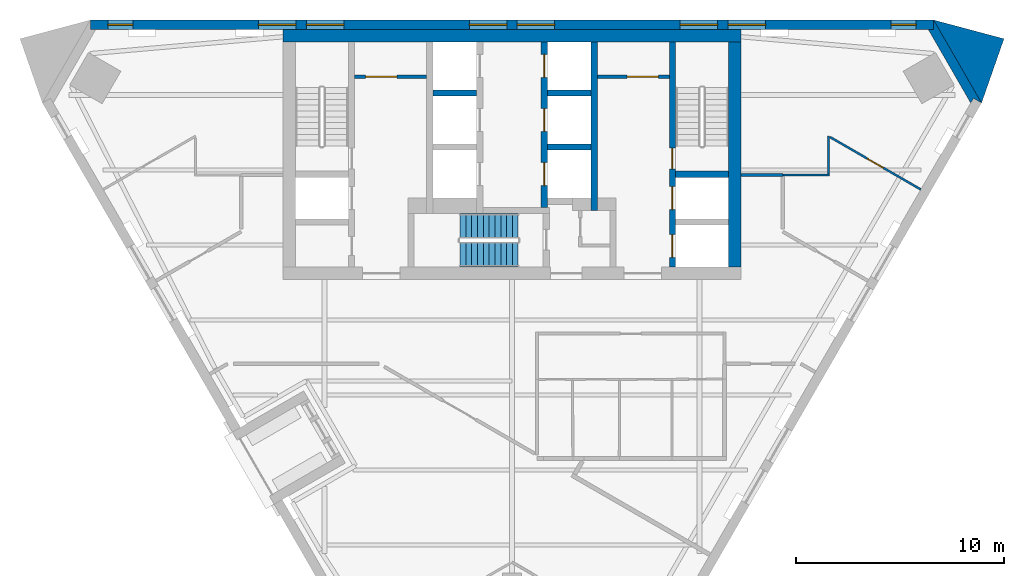
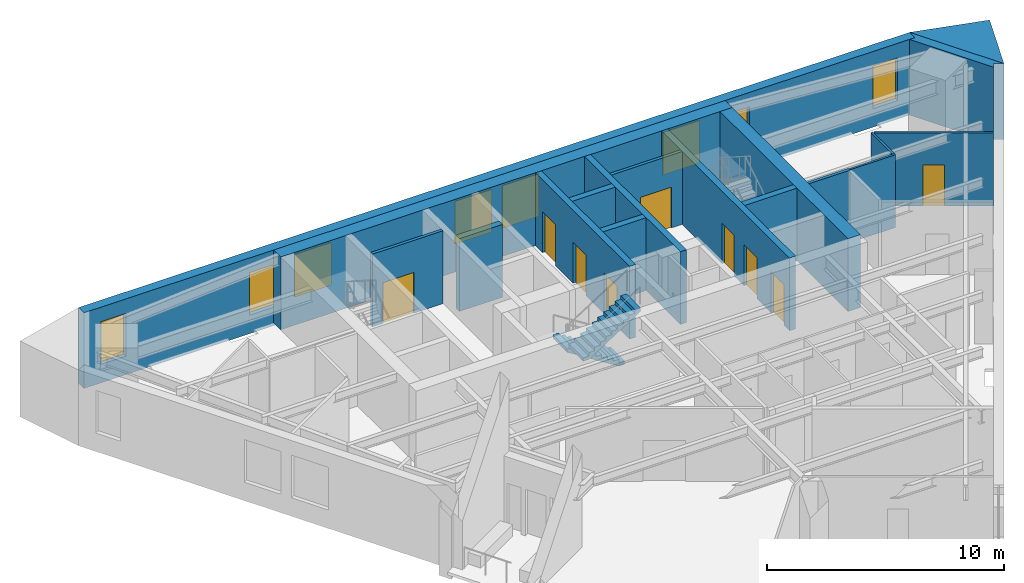
# One storey, part 5 of 7: 18 walls, 9 doors, 8 windows, 2 stair flights, 17 openings, 1 element without a shape of its own.
"""IFC4 building model written with IfcOpenShell, lengths in metres."""

from ifc_helpers import new_model, si_unit, direction, frame, frame_2d, origin, place, context, subcontext, project, spatial, polyline, rectangle, outline, extrude, material, layer, layer_set, type_object, element, fill, aggregate, save


model = new_model("IFC4")

# Units and contexts
model_context = context("Model", 3, precision=1e-05, world=origin(), true_north=direction((0.0, 1.0)))
body_context = subcontext(model_context, "Body", "Model", "MODEL_VIEW")
ifc_project = project(units=[si_unit("LENGTHUNIT", "METRE"), si_unit("AREAUNIT", "SQUARE_METRE"), si_unit("VOLUMEUNIT", "CUBIC_METRE"), si_unit("PLANEANGLEUNIT", "RADIAN"), si_unit("MASSUNIT", "GRAM", prefix="KILO")], contexts=[model_context])

# Site, building, storey
site_placement = place(None, origin())
site = spatial("IfcSite", under=ifc_project, at=site_placement, CompositionType="ELEMENT")
building_placement = place(site_placement, origin())
building = spatial("IfcBuilding", under=site, at=building_placement, Name="Aloe Facet Convention Tower", CompositionType="ELEMENT")
storey_placement = place(building_placement, frame((0.0, 0.0, 148.10009765625)))
storey = spatial("IfcBuildingStorey", under=building, at=storey_placement, Name="L37", CompositionType="ELEMENT", Elevation=148.10009765625)

# Wall, opening, door
ifc_material_1 = material(Name="Concrete blockwork partition", Category="masonry")
ifc_layer_1 = layer(ifc_material_1, 0.14990234375)
ifc_layer_set_1 = layer_set([ifc_layer_1], Name="CR-W-PART150")
wall_type_1 = type_object("IfcWallType", Name="CR-W-PART150", PredefinedType="PARTITIONING", material=ifc_layer_set_1)
wall_1_placement = place(storey_placement, frame((72.449951171875, 132.27490234375, 0.0), z_axis=(0.0, 0.0, 1.0), x_axis=(1.0, 0.0, 0.0)))
wall_1 = element("IfcWall", 1, at=wall_1_placement, inside=storey, type_object=wall_type_1, Name="Core partition L37-007", PredefinedType="PARTITIONING", context=body_context, shape_type="SweptSolid", body=[
    extrude(rectangle(XDim=3.449951171875, YDim=0.14990234375, at=frame_2d((1.72509765625, 0.0))), origin(), (0.0, 0.0, 1.0), 3.75),
])
opening_1_placement = place(wall_1_placement, frame((0.52490234375, 0.0, 0.0)))
opening_1 = element("IfcOpeningElement", 2, at=opening_1_placement, cuts=wall_1, Name="Opening L37-CD14", PredefinedType="OPENING", context=body_context, shape_type="SweptSolid", body=[
    extrude(rectangle(XDim=1.5, YDim=2.10009765625, at=frame_2d((0.75, 1.050048828125))), frame((0.0, 0.0849609375, 0.0), z_axis=(0.0, -1.0, 0.0), x_axis=(1.0, 0.0, 0.0)), (0.0, 0.0, 1.0), 0.169921875),
])
ifc_material_2 = material(Name="Steel fire-resisting door set FD60", Category="steel")
door_type_1 = type_object("IfcDoorType", Name="CR-D-REFUGE-1500-FD60-DD", OperationType="DOUBLE_DOOR_DOUBLE_SWING", PredefinedType="DOOR", material=ifc_material_2)
door_1_placement = place(opening_1_placement, origin())
door_1 = element("IfcDoor", 3, at=door_1_placement, inside=storey, type_object=door_type_1, Name="Core door L37-CD14", OperationType="DOUBLE_DOOR_DOUBLE_SWING", OverallHeight=2.10009765625, OverallWidth=1.5, PredefinedType="DOOR", context=body_context, shape_type="SweptSolid", body=[
    extrude(rectangle(XDim=1.5, YDim=2.10009765625, at=frame_2d((0.75, 1.050048828125))), frame((0.0, 0.02490234375, 0.0), z_axis=(0.0, -1.0, 0.0), x_axis=(1.0, 0.0, 0.0)), (0.0, 0.0, 1.0), 0.050048828125),
])
fill(opening_1, door_1)

wall_2_placement = place(storey_placement, frame((84.10009765625, 132.27490234375, 0.0), z_axis=(0.0, 0.0, 1.0), x_axis=(1.0, 0.0, 0.0)))
wall_2 = element("IfcWall", 4, at=wall_2_placement, inside=storey, type_object=wall_type_1, Name="Core partition L37-025", PredefinedType="PARTITIONING", context=body_context, shape_type="SweptSolid", body=[
    extrude(rectangle(XDim=3.449951171875, YDim=0.14990234375, at=frame_2d((1.72509765625, 0.0))), origin(), (0.0, 0.0, 1.0), 3.75),
])
opening_2_placement = place(wall_2_placement, frame((1.425048828125, 0.0, 0.0)))
opening_2 = element("IfcOpeningElement", 5, at=opening_2_placement, cuts=wall_2, Name="Opening L37-CD13", PredefinedType="OPENING", context=body_context, shape_type="SweptSolid", body=[
    extrude(rectangle(XDim=1.5, YDim=2.10009765625, at=frame_2d((0.75, 1.050048828125))), frame((0.0, 0.0849609375, 0.0), z_axis=(0.0, -1.0, 0.0), x_axis=(1.0, 0.0, 0.0)), (0.0, 0.0, 1.0), 0.169921875),
])
door_2_placement = place(opening_2_placement, origin())
door_2 = element("IfcDoor", 6, at=door_2_placement, inside=storey, type_object=door_type_1, Name="Core door L37-CD13", OperationType="DOUBLE_DOOR_DOUBLE_SWING", OverallHeight=2.10009765625, OverallWidth=1.5, PredefinedType="DOOR", context=body_context, shape_type="SweptSolid", body=[
    extrude(rectangle(XDim=1.5, YDim=2.10009765625, at=frame_2d((0.75, 1.050048828125))), frame((0.0, 0.02490234375, 0.0), z_axis=(0.0, -1.0, 0.0), x_axis=(1.0, 0.0, 0.0)), (0.0, 0.0, 1.0), 0.050048828125),
])
fill(opening_2, door_2)

# Wall
ifc_material_3 = material(Name="Concrete C60/75", Category="concrete")
ifc_layer_2 = layer(ifc_material_3, 0.300048828125)
ifc_layer_set_2 = layer_set([ifc_layer_2], Name="CR-W-RC300-C6075")
wall_type_2 = type_object("IfcWallType", Name="CR-W-RC300-C6075", PredefinedType="SOLIDWALL", material=ifc_layer_set_2)
wall_3_placement = place(storey_placement, frame((76.199951171875, 131.5, 0.0), z_axis=(0.0, 0.0, 1.0), x_axis=(1.0, 0.0, 0.0)))
element("IfcWall", 7, at=wall_3_placement, inside=storey, type_object=wall_type_2, Name="Core wall L37-011", PredefinedType="SOLIDWALL", context=body_context, shape_type="SweptSolid", body=[
    extrude(rectangle(XDim=2.10009765625, YDim=0.300048828125, at=frame_2d((1.050048828125, 0.0))), origin(), (0.0, 0.0, 1.0), 3.75),
])

# Wall, openings, doors
wall_4_placement = place(storey_placement, frame((81.550048828125, 133.949951171875, 0.0), z_axis=(0.0, 0.0, 1.0), x_axis=(0.0, -1.0, 0.0)))
wall_4 = element("IfcWall", 8, at=wall_4_placement, inside=storey, type_object=wall_type_2, Name="Core wall L37-016", PredefinedType="SOLIDWALL", context=body_context, shape_type="SweptSolid", body=[
    extrude(rectangle(XDim=7.949951171875, YDim=0.300048828125, at=frame_2d((3.97509765625, 0.0))), origin(), (0.0, 0.0, 1.0), 3.75),
])
opening_3_placement = place(wall_4_placement, frame((0.60009765625, 0.0, 0.0)))
opening_3 = element("IfcOpeningElement", 9, at=opening_3_placement, cuts=wall_4, Name="Opening LD-B4-L37", PredefinedType="OPENING", context=body_context, shape_type="SweptSolid", body=[
    extrude(rectangle(XDim=1.10009765625, YDim=2.10009765625, at=frame_2d((0.550048828125, 1.050048828125))), frame((0.0, 0.16015625, 0.0), z_axis=(0.0, -1.0, 0.0), x_axis=(1.0, 0.0, 0.0)), (0.0, 0.0, 1.0), 0.320068359375),
])
opening_4_placement = place(wall_4_placement, frame((3.199951171875, 0.0, 0.0)))
opening_4 = element("IfcOpeningElement", 10, at=opening_4_placement, cuts=wall_4, Name="Opening LD-B5-L37", PredefinedType="OPENING", context=body_context, shape_type="SweptSolid", body=[
    extrude(rectangle(XDim=1.10009765625, YDim=2.10009765625, at=frame_2d((0.550048828125, 1.050048828125))), frame((0.0, 0.16015625, 0.0), z_axis=(0.0, -1.0, 0.0), x_axis=(1.0, 0.0, 0.0)), (0.0, 0.0, 1.0), 0.320068359375),
])
opening_5_placement = place(wall_4_placement, frame((5.800048828125, 0.0, 0.0)))
opening_5 = element("IfcOpeningElement", 11, at=opening_5_placement, cuts=wall_4, Name="Opening LD-B6-L37", PredefinedType="OPENING", context=body_context, shape_type="SweptSolid", body=[
    extrude(rectangle(XDim=1.10009765625, YDim=2.10009765625, at=frame_2d((0.550048828125, 1.050048828125))), frame((0.0, 0.16015625, 0.0), z_axis=(0.0, -1.0, 0.0), x_axis=(1.0, 0.0, 0.0)), (0.0, 0.0, 1.0), 0.320068359375),
])
ifc_material_4 = material(Name="Stainless steel sliding landing door", Category="steel")
door_type_2 = type_object("IfcDoorType", Name="CR-LD-1100-FD60-_LEFT", OperationType="SLIDING_TO_LEFT", PredefinedType="DOOR", material=ifc_material_4)
door_3_placement = place(opening_3_placement, origin())
door_3 = element("IfcDoor", 12, at=door_3_placement, inside=storey, type_object=door_type_2, Name="Landing door B4 L37", OperationType="SLIDING_TO_LEFT", OverallHeight=2.10009765625, OverallWidth=1.10009765625, PredefinedType="DOOR", context=body_context, shape_type="SweptSolid", body=[
    extrude(rectangle(XDim=1.10009765625, YDim=2.10009765625, at=frame_2d((0.550048828125, 1.050048828125))), frame((0.0, 0.02490234375, 0.0), z_axis=(0.0, -1.0, 0.0), x_axis=(1.0, 0.0, 0.0)), (0.0, 0.0, 1.0), 0.050048828125),
])
fill(opening_3, door_3)
door_4_placement = place(opening_4_placement, origin())
door_4 = element("IfcDoor", 13, at=door_4_placement, inside=storey, type_object=door_type_2, Name="Landing door B5 L37", OperationType="SLIDING_TO_LEFT", OverallHeight=2.10009765625, OverallWidth=1.10009765625, PredefinedType="DOOR", context=body_context, shape_type="SweptSolid", body=[
    extrude(rectangle(XDim=1.10009765625, YDim=2.10009765625, at=frame_2d((0.550048828125, 1.050048828125))), frame((0.0, 0.02490234375, 0.0), z_axis=(0.0, -1.0, 0.0), x_axis=(1.0, 0.0, 0.0)), (0.0, 0.0, 1.0), 0.050048828125),
])
fill(opening_4, door_4)
door_5_placement = place(opening_5_placement, origin())
door_5 = element("IfcDoor", 14, at=door_5_placement, inside=storey, type_object=door_type_2, Name="Landing door B6 L37", OperationType="SLIDING_TO_LEFT", OverallHeight=2.10009765625, OverallWidth=1.10009765625, PredefinedType="DOOR", context=body_context, shape_type="SweptSolid", body=[
    extrude(rectangle(XDim=1.10009765625, YDim=2.10009765625, at=frame_2d((0.550048828125, 1.050048828125))), frame((0.0, 0.02490234375, 0.0), z_axis=(0.0, -1.0, 0.0), x_axis=(1.0, 0.0, 0.0)), (0.0, 0.0, 1.0), 0.050048828125),
])
fill(opening_5, door_5)

# Walls
for number, where, z_axis, x_axis, name in (
    (15, (81.699951171875, 131.5, 0.0), (0.0, 0.0, 1.0), (1.0, 0.0, 0.0), "Core wall L37-018"),
    (16, (81.699951171875, 128.89990234375, 0.0), (0.0, 0.0, 1.0), (1.0, 0.0, 0.0), "Core wall L37-019"),
):
    element("IfcWall", number, at=place(storey_placement, frame(where, z_axis=z_axis, x_axis=x_axis)), inside=storey, type_object=wall_type_2, Name=name, PredefinedType="SOLIDWALL", context=body_context, shape_type="SweptSolid", body=[
        extrude(rectangle(XDim=2.10009765625, YDim=0.300048828125, at=frame_2d((1.050048828125, 0.0))), origin(), (0.0, 0.0, 1.0), 3.75),
    ])
wall_5_placement = place(storey_placement, frame((83.949951171875, 133.949951171875, 0.0), z_axis=(0.0, 0.0, 1.0), x_axis=(0.0, -1.0, 0.0)))
element("IfcWall", 17, at=wall_5_placement, inside=storey, type_object=wall_type_2, Name="Core wall L37-024", PredefinedType="SOLIDWALL", context=body_context, shape_type="SweptSolid", body=[
    extrude(rectangle(XDim=8.099853515625, YDim=0.300048828125, at=frame_2d((4.0498046875, 0.0))), origin(), (0.0, 0.0, 1.0), 3.75),
])

# Wall, openings, doors
wall_6_placement = place(storey_placement, frame((87.699951171875, 133.949951171875, 0.0), z_axis=(0.0, 0.0, 1.0), x_axis=(0.0, -1.0, 0.0)))
wall_6 = element("IfcWall", 18, at=wall_6_placement, inside=storey, type_object=wall_type_2, Name="Core wall L37-028", PredefinedType="SOLIDWALL", context=body_context, shape_type="SweptSolid", body=[
    extrude(rectangle(XDim=10.800048828125, YDim=0.300048828125, at=frame_2d((5.39990234375, 0.0))), origin(), (0.0, 0.0, 1.0), 3.75),
])
opening_6_placement = place(wall_6_placement, frame((6.949951171875, 0.0, 0.0)))
opening_6 = element("IfcOpeningElement", 19, at=opening_6_placement, cuts=wall_6, Name="Opening LD-FF2-L37", PredefinedType="OPENING", context=body_context, shape_type="SweptSolid", body=[
    extrude(rectangle(XDim=1.10009765625, YDim=2.10009765625, at=frame_2d((0.550048828125, 1.050048828125))), frame((0.0, 0.16015625, 0.0), z_axis=(0.0, -1.0, 0.0), x_axis=(1.0, 0.0, 0.0)), (0.0, 0.0, 1.0), 0.320068359375),
])
opening_7_placement = place(wall_6_placement, frame((5.10009765625, 0.0, 0.0)))
opening_7 = element("IfcOpeningElement", 20, at=opening_7_placement, cuts=wall_6, Name="Opening L37-CD17", PredefinedType="OPENING", context=body_context, shape_type="SweptSolid", body=[
    extrude(rectangle(XDim=1.0, YDim=2.10009765625, at=frame_2d((0.5, 1.050048828125))), frame((0.0, 0.16015625, 0.0), z_axis=(0.0, -1.0, 0.0), x_axis=(1.0, 0.0, 0.0)), (0.0, 0.0, 1.0), 0.320068359375),
])
opening_8_placement = place(wall_6_placement, frame((9.25, 0.0, 0.0)))
opening_8 = element("IfcOpeningElement", 21, at=opening_8_placement, cuts=wall_6, Name="Opening LD-SV1-L37", PredefinedType="OPENING", context=body_context, shape_type="SweptSolid", body=[
    extrude(rectangle(XDim=1.10009765625, YDim=2.10009765625, at=frame_2d((0.550048828125, 1.050048828125))), frame((0.0, 0.16015625, 0.0), z_axis=(0.0, -1.0, 0.0), x_axis=(1.0, 0.0, 0.0)), (0.0, 0.0, 1.0), 0.320068359375),
])
ifc_material_5 = material(Name="Steel fire-resisting door set FD120", Category="steel")
door_type_3 = type_object("IfcDoorType", Name="CR-D-STAIR-1000-FD120-SLEFT", OperationType="SINGLE_SWING_LEFT", PredefinedType="DOOR", material=ifc_material_5)
door_6_placement = place(opening_7_placement, origin())
door_6 = element("IfcDoor", 22, at=door_6_placement, inside=storey, type_object=door_type_3, Name="Core door L37-CD17", OperationType="SINGLE_SWING_LEFT", OverallHeight=2.10009765625, OverallWidth=1.0, PredefinedType="DOOR", context=body_context, shape_type="SweptSolid", body=[
    extrude(rectangle(XDim=1.0, YDim=2.10009765625, at=frame_2d((0.5, 1.050048828125))), frame((0.0, 0.02490234375, 0.0), z_axis=(0.0, -1.0, 0.0), x_axis=(1.0, 0.0, 0.0)), (0.0, 0.0, 1.0), 0.050048828125),
])
fill(opening_7, door_6)
ifc_material_6 = material(Name="Stainless steel sliding landing door", Category="steel")
door_type_4 = type_object("IfcDoorType", Name="CR-LD-1100-FD120-_LEFT", OperationType="SLIDING_TO_LEFT", PredefinedType="DOOR", material=ifc_material_6)
door_7_placement = place(opening_6_placement, origin())
door_7 = element("IfcDoor", 23, at=door_7_placement, inside=storey, type_object=door_type_4, Name="Landing door FF2 L37", OperationType="SLIDING_TO_LEFT", OverallHeight=2.10009765625, OverallWidth=1.10009765625, PredefinedType="DOOR", context=body_context, shape_type="SweptSolid", body=[
    extrude(rectangle(XDim=1.10009765625, YDim=2.10009765625, at=frame_2d((0.550048828125, 1.050048828125))), frame((0.0, 0.02490234375, 0.0), z_axis=(0.0, -1.0, 0.0), x_axis=(1.0, 0.0, 0.0)), (0.0, 0.0, 1.0), 0.050048828125),
])
fill(opening_6, door_7)
door_8_placement = place(opening_8_placement, origin())
door_8 = element("IfcDoor", 24, at=door_8_placement, inside=storey, type_object=door_type_4, Name="Landing door SV1 L37", OperationType="SLIDING_TO_LEFT", OverallHeight=2.10009765625, OverallWidth=1.10009765625, PredefinedType="DOOR", context=body_context, shape_type="SweptSolid", body=[
    extrude(rectangle(XDim=1.10009765625, YDim=2.10009765625, at=frame_2d((0.550048828125, 1.050048828125))), frame((0.0, 0.02490234375, 0.0), z_axis=(0.0, -1.0, 0.0), x_axis=(1.0, 0.0, 0.0)), (0.0, 0.0, 1.0), 0.050048828125),
])
fill(opening_8, door_8)

# Walls
wall_7_placement = place(storey_placement, frame((87.85009765625, 127.60009765625, 0.0), z_axis=(0.0, 0.0, 1.0), x_axis=(1.0, 0.0, 0.0)))
element("IfcWall", 25, at=wall_7_placement, inside=storey, type_object=wall_type_2, Name="Core wall L37-029", PredefinedType="SOLIDWALL", context=body_context, shape_type="SweptSolid", body=[
    extrude(rectangle(XDim=2.5498046875, YDim=0.300048828125, at=frame_2d((1.27490234375, 0.0))), origin(), (0.0, 0.0, 1.0), 3.75),
])
ifc_material_7 = material(Name="Concrete C60/75", Category="concrete")
ifc_layer_3 = layer(ifc_material_7, 0.60009765625)
ifc_layer_set_3 = layer_set([ifc_layer_3], Name="CR-W-RC600-C6075")
wall_type_3 = type_object("IfcWallType", Name="CR-W-RC600-C6075", PredefinedType="SOLIDWALL", material=ifc_layer_set_3)
wall_8_placement = place(storey_placement, frame((69.0, 134.25, 0.0), z_axis=(0.0, 0.0, 1.0), x_axis=(1.0, 0.0, 0.0)))
element("IfcWall", 26, at=wall_8_placement, inside=storey, type_object=wall_type_3, Name="Core wall L37-001", PredefinedType="SOLIDWALL", context=body_context, shape_type="SweptSolid", body=[
    extrude(rectangle(XDim=22.0, YDim=0.60009765625, at=frame_2d((11.0, 0.0))), origin(), (0.0, 0.0, 1.0), 3.75),
])
wall_9_placement = place(storey_placement, frame((90.699951171875, 133.949951171875, 0.0), z_axis=(0.0, 0.0, 1.0), x_axis=(0.0, -1.0, 0.0)))
element("IfcWall", 27, at=wall_9_placement, inside=storey, type_object=wall_type_3, Name="Core wall L37-031", PredefinedType="SOLIDWALL", context=body_context, shape_type="SweptSolid", body=[
    extrude(rectangle(XDim=10.800048828125, YDim=0.60009765625, at=frame_2d((5.39990234375, 0.0))), origin(), (0.0, 0.0, 1.0), 3.75),
])
ifc_material_8 = material(Name="Precast concrete C40/50", Category="concrete")
ifc_layer_4 = layer(ifc_material_8, 0.449951171875)
ifc_layer_set_4 = layer_set([ifc_layer_4], Name="EV-WALL-PIER")
wall_type_4 = type_object("IfcWallType", Name="EV-WALL-PIER", PredefinedType="SOLIDWALL", material=ifc_layer_set_4)
wall_10_placement = place(storey_placement, frame((0.0, 0.0, -0.150146484375)))
element("IfcWall", 28, at=wall_10_placement, inside=storey, type_object=wall_type_4, Name="EP-L37-C", PredefinedType="SOLIDWALL", context=body_context, shape_type="SweptSolid", body=[
    extrude(outline(polyline([(102.54296875, 131.016357421875), (102.1533203125, 131.2412109375), (102.0234375, 131.016357421875), (99.983154296875, 134.550048828125), (100.2431640625, 134.550048828125), (100.2431640625, 135.0), (102.54296875, 131.016357421875)])), origin(), (0.0, 0.0, 1.0), 3.900146484375),
])
ifc_material_9 = material(Name="Precast concrete C40/50", Category="concrete")
ifc_layer_5 = layer(ifc_material_9, 3.947998046875)
ifc_layer_set_5 = layer_set([ifc_layer_5], Name="EV-WALL-SPINE")
wall_type_5 = type_object("IfcWallType", Name="EV-WALL-SPINE", PredefinedType="SOLIDWALL", material=ifc_layer_set_5)
wall_11_placement = place(storey_placement, frame((0.0, 0.0, -0.150146484375)))
element("IfcWall", 29, at=wall_11_placement, inside=storey, type_object=wall_type_5, Name="SP-NE-L37", PredefinedType="SOLIDWALL", context=body_context, shape_type="SweptSolid", body=[
    extrude(outline(polyline([(102.54296875, 131.016357421875), (103.620361328125, 134.0986328125), (100.2431640625, 135.0), (102.54296875, 131.016357421875)])), origin(), (0.0, 0.0, 1.0), 3.900146484375),
])

# Wall, openings, windows
ifc_material_10 = material(Name="Precast concrete C40/50", Category="concrete")
ifc_layer_6 = layer(ifc_material_10, 0.449951171875)
ifc_layer_set_6 = layer_set([ifc_layer_6], Name="EV-WALL-STONE")
wall_type_6 = type_object("IfcWallType", Name="EV-WALL-STONE", PredefinedType="SOLIDWALL", material=ifc_layer_set_6)
wall_12_placement = place(storey_placement, frame((100.2431640625, 134.77490234375, -0.150146484375), z_axis=(0.0, 0.0, 1.0), x_axis=(-1.0, 0.0, 0.0)))
wall_12 = element("IfcWall", 30, at=wall_12_placement, inside=storey, type_object=wall_type_6, Name="EW-L37-N01", PredefinedType="SOLIDWALL", context=body_context, shape_type="SweptSolid", body=[
    extrude(outline(polyline([(40.486083984375, 0.0), (40.486083984375, 3.900146484375), (0.0, 3.900146484375), (0.0, 0.0), (40.486083984375, 0.0)])), frame((0.0, 0.22509765625, 0.0), z_axis=(0.0, -1.0, 0.0), x_axis=(1.0, 0.0, 0.0)), (0.0, 0.0, 1.0), 0.449951171875),
])
opening_9_placement = place(wall_12_placement, frame((0.83740234375, 0.0, 0.949951171875)))
opening_9 = element("IfcOpeningElement", 31, at=opening_9_placement, cuts=wall_12, Name="Opening W-L37-N01", PredefinedType="OPENING", context=body_context, shape_type="SweptSolid", body=[
    extrude(rectangle(XDim=1.199951171875, YDim=2.199951171875, at=frame_2d((0.60009765625, 1.10009765625))), frame((0.0, 0.23486328125, 0.0), z_axis=(0.0, -1.0, 0.0), x_axis=(1.0, 0.0, 0.0)), (0.0, 0.0, 1.0), 0.469970703125),
])
opening_10_placement = place(wall_12_placement, frame((8.071533203125, 0.0, 0.949951171875)))
opening_10 = element("IfcOpeningElement", 32, at=opening_10_placement, cuts=wall_12, Name="Opening W-L37-N02", PredefinedType="OPENING", context=body_context, shape_type="SweptSolid", body=[
    extrude(rectangle(XDim=1.800048828125, YDim=2.199951171875, at=frame_2d((0.89990234375, 1.10009765625))), frame((0.0, 0.23486328125, 0.0), z_axis=(0.0, -1.0, 0.0), x_axis=(1.0, 0.0, 0.0)), (0.0, 0.0, 1.0), 0.469970703125),
])
opening_11_placement = place(wall_12_placement, frame((10.37158203125, 0.0, 0.949951171875)))
opening_11 = element("IfcOpeningElement", 33, at=opening_11_placement, cuts=wall_12, Name="Opening W-L37-N03", PredefinedType="OPENING", context=body_context, shape_type="SweptSolid", body=[
    extrude(rectangle(XDim=1.800048828125, YDim=2.199951171875, at=frame_2d((0.89990234375, 1.10009765625))), frame((0.0, 0.23486328125, 0.0), z_axis=(0.0, -1.0, 0.0), x_axis=(1.0, 0.0, 0.0)), (0.0, 0.0, 1.0), 0.469970703125),
])
opening_12_placement = place(wall_12_placement, frame((18.193115234375, 0.0, 0.949951171875)))
opening_12 = element("IfcOpeningElement", 34, at=opening_12_placement, cuts=wall_12, Name="Opening W-L37-N04", PredefinedType="OPENING", context=body_context, shape_type="SweptSolid", body=[
    extrude(rectangle(XDim=1.800048828125, YDim=2.199951171875, at=frame_2d((0.89990234375, 1.10009765625))), frame((0.0, 0.23486328125, 0.0), z_axis=(0.0, -1.0, 0.0), x_axis=(1.0, 0.0, 0.0)), (0.0, 0.0, 1.0), 0.469970703125),
])
opening_13_placement = place(wall_12_placement, frame((20.4931640625, 0.0, 0.949951171875)))
opening_13 = element("IfcOpeningElement", 35, at=opening_13_placement, cuts=wall_12, Name="Opening W-L37-N05", PredefinedType="OPENING", context=body_context, shape_type="SweptSolid", body=[
    extrude(rectangle(XDim=1.800048828125, YDim=2.199951171875, at=frame_2d((0.89990234375, 1.10009765625))), frame((0.0, 0.23486328125, 0.0), z_axis=(0.0, -1.0, 0.0), x_axis=(1.0, 0.0, 0.0)), (0.0, 0.0, 1.0), 0.469970703125),
])
opening_14_placement = place(wall_12_placement, frame((28.314697265625, 0.0, 0.949951171875)))
opening_14 = element("IfcOpeningElement", 36, at=opening_14_placement, cuts=wall_12, Name="Opening W-L37-N06", PredefinedType="OPENING", context=body_context, shape_type="SweptSolid", body=[
    extrude(rectangle(XDim=1.800048828125, YDim=2.199951171875, at=frame_2d((0.89990234375, 1.10009765625))), frame((0.0, 0.23486328125, 0.0), z_axis=(0.0, -1.0, 0.0), x_axis=(1.0, 0.0, 0.0)), (0.0, 0.0, 1.0), 0.469970703125),
])
opening_15_placement = place(wall_12_placement, frame((30.614501953125, 0.0, 0.949951171875)))
opening_15 = element("IfcOpeningElement", 37, at=opening_15_placement, cuts=wall_12, Name="Opening W-L37-N07", PredefinedType="OPENING", context=body_context, shape_type="SweptSolid", body=[
    extrude(rectangle(XDim=1.800048828125, YDim=2.199951171875, at=frame_2d((0.89990234375, 1.10009765625))), frame((0.0, 0.23486328125, 0.0), z_axis=(0.0, -1.0, 0.0), x_axis=(1.0, 0.0, 0.0)), (0.0, 0.0, 1.0), 0.469970703125),
])
opening_16_placement = place(wall_12_placement, frame((38.44873046875, 0.0, 0.949951171875)))
opening_16 = element("IfcOpeningElement", 38, at=opening_16_placement, cuts=wall_12, Name="Opening W-L37-N08", PredefinedType="OPENING", context=body_context, shape_type="SweptSolid", body=[
    extrude(rectangle(XDim=1.199951171875, YDim=2.199951171875, at=frame_2d((0.60009765625, 1.10009765625))), frame((0.0, 0.23486328125, 0.0), z_axis=(0.0, -1.0, 0.0), x_axis=(1.0, 0.0, 0.0)), (0.0, 0.0, 1.0), 0.469970703125),
])
ifc_material_11 = material(Name="Aluminium frame, clear double glazing", Category="aluminium")
window_type_1 = type_object("IfcWindowType", Name="EV-WIN-O12", PartitioningType="SINGLE_PANEL", PredefinedType="WINDOW", material=ifc_material_11)
window_1_placement = place(opening_9_placement, origin())
window_1 = element("IfcWindow", 39, at=window_1_placement, inside=storey, type_object=window_type_1, Name="W-L37-N01", OverallHeight=2.199951171875, OverallWidth=1.199951171875, PartitioningType="SINGLE_PANEL", PredefinedType="WINDOW", context=body_context, shape_type="SweptSolid", body=[
    extrude(rectangle(XDim=1.199951171875, YDim=2.199951171875, at=frame_2d((0.60009765625, 1.10009765625))), frame((0.0, 0.030029296875, 0.0), z_axis=(0.0, -1.0, 0.0), x_axis=(1.0, 0.0, 0.0)), (0.0, 0.0, 1.0), 0.06005859375),
])
fill(opening_9, window_1)
window_2_placement = place(opening_16_placement, origin())
window_2 = element("IfcWindow", 40, at=window_2_placement, inside=storey, type_object=window_type_1, Name="W-L37-N08", OverallHeight=2.199951171875, OverallWidth=1.199951171875, PartitioningType="SINGLE_PANEL", PredefinedType="WINDOW", context=body_context, shape_type="SweptSolid", body=[
    extrude(rectangle(XDim=1.199951171875, YDim=2.199951171875, at=frame_2d((0.60009765625, 1.10009765625))), frame((0.0, 0.030029296875, 0.0), z_axis=(0.0, -1.0, 0.0), x_axis=(1.0, 0.0, 0.0)), (0.0, 0.0, 1.0), 0.06005859375),
])
fill(opening_16, window_2)
ifc_material_12 = material(Name="Aluminium frame, clear double glazing", Category="aluminium")
window_type_2 = type_object("IfcWindowType", Name="EV-WIN-O18", PartitioningType="SINGLE_PANEL", PredefinedType="WINDOW", material=ifc_material_12)
window_3_placement = place(opening_10_placement, origin())
window_3 = element("IfcWindow", 41, at=window_3_placement, inside=storey, type_object=window_type_2, Name="W-L37-N02", OverallHeight=2.199951171875, OverallWidth=1.800048828125, PartitioningType="SINGLE_PANEL", PredefinedType="WINDOW", context=body_context, shape_type="SweptSolid", body=[
    extrude(rectangle(XDim=1.800048828125, YDim=2.199951171875, at=frame_2d((0.89990234375, 1.10009765625))), frame((0.0, 0.030029296875, 0.0), z_axis=(0.0, -1.0, 0.0), x_axis=(1.0, 0.0, 0.0)), (0.0, 0.0, 1.0), 0.06005859375),
])
fill(opening_10, window_3)
window_4_placement = place(opening_11_placement, origin())
window_4 = element("IfcWindow", 42, at=window_4_placement, inside=storey, type_object=window_type_2, Name="W-L37-N03", OverallHeight=2.199951171875, OverallWidth=1.800048828125, PartitioningType="SINGLE_PANEL", PredefinedType="WINDOW", context=body_context, shape_type="SweptSolid", body=[
    extrude(rectangle(XDim=1.800048828125, YDim=2.199951171875, at=frame_2d((0.89990234375, 1.10009765625))), frame((0.0, 0.030029296875, 0.0), z_axis=(0.0, -1.0, 0.0), x_axis=(1.0, 0.0, 0.0)), (0.0, 0.0, 1.0), 0.06005859375),
])
fill(opening_11, window_4)
window_5_placement = place(opening_12_placement, origin())
window_5 = element("IfcWindow", 43, at=window_5_placement, inside=storey, type_object=window_type_2, Name="W-L37-N04", OverallHeight=2.199951171875, OverallWidth=1.800048828125, PartitioningType="SINGLE_PANEL", PredefinedType="WINDOW", context=body_context, shape_type="SweptSolid", body=[
    extrude(rectangle(XDim=1.800048828125, YDim=2.199951171875, at=frame_2d((0.89990234375, 1.10009765625))), frame((0.0, 0.030029296875, 0.0), z_axis=(0.0, -1.0, 0.0), x_axis=(1.0, 0.0, 0.0)), (0.0, 0.0, 1.0), 0.06005859375),
])
fill(opening_12, window_5)
window_6_placement = place(opening_13_placement, origin())
window_6 = element("IfcWindow", 44, at=window_6_placement, inside=storey, type_object=window_type_2, Name="W-L37-N05", OverallHeight=2.199951171875, OverallWidth=1.800048828125, PartitioningType="SINGLE_PANEL", PredefinedType="WINDOW", context=body_context, shape_type="SweptSolid", body=[
    extrude(rectangle(XDim=1.800048828125, YDim=2.199951171875, at=frame_2d((0.89990234375, 1.10009765625))), frame((0.0, 0.030029296875, 0.0), z_axis=(0.0, -1.0, 0.0), x_axis=(1.0, 0.0, 0.0)), (0.0, 0.0, 1.0), 0.06005859375),
])
fill(opening_13, window_6)
window_7_placement = place(opening_14_placement, origin())
window_7 = element("IfcWindow", 45, at=window_7_placement, inside=storey, type_object=window_type_2, Name="W-L37-N06", OverallHeight=2.199951171875, OverallWidth=1.800048828125, PartitioningType="SINGLE_PANEL", PredefinedType="WINDOW", context=body_context, shape_type="SweptSolid", body=[
    extrude(rectangle(XDim=1.800048828125, YDim=2.199951171875, at=frame_2d((0.89990234375, 1.10009765625))), frame((0.0, 0.030029296875, 0.0), z_axis=(0.0, -1.0, 0.0), x_axis=(1.0, 0.0, 0.0)), (0.0, 0.0, 1.0), 0.06005859375),
])
fill(opening_14, window_7)
window_8_placement = place(opening_15_placement, origin())
window_8 = element("IfcWindow", 46, at=window_8_placement, inside=storey, type_object=window_type_2, Name="W-L37-N07", OverallHeight=2.199951171875, OverallWidth=1.800048828125, PartitioningType="SINGLE_PANEL", PredefinedType="WINDOW", context=body_context, shape_type="SweptSolid", body=[
    extrude(rectangle(XDim=1.800048828125, YDim=2.199951171875, at=frame_2d((0.89990234375, 1.10009765625))), frame((0.0, 0.030029296875, 0.0), z_axis=(0.0, -1.0, 0.0), x_axis=(1.0, 0.0, 0.0)), (0.0, 0.0, 1.0), 0.06005859375),
])
fill(opening_15, window_8)

# Walls
ifc_material_13 = material(Name="Gypsum board partition on steel studs", Category="steel")
ifc_layer_7 = layer(ifc_material_13, 0.14990234375)
ifc_layer_set_7 = layer_set([ifc_layer_7], Name="IN-W-CORR")
wall_type_7 = type_object("IfcWallType", Name="IN-W-CORR", PredefinedType="PARTITIONING", material=ifc_layer_set_7)
wall_13_placement = place(storey_placement, frame((91.0, 127.550048828125, 0.0), z_axis=(0.0, 0.0, 1.0), x_axis=(1.0, 0.0, 0.0)))
element("IfcWall", 47, at=wall_13_placement, inside=storey, type_object=wall_type_7, Name="Partition L37-W036", PredefinedType="PARTITIONING", context=body_context, shape_type="SweptSolid", body=[
    extrude(rectangle(XDim=2.0, YDim=0.14990234375, at=frame_2d((1.0, 0.0))), origin(), (0.0, 0.0, 1.0), 3.75),
])
ifc_material_14 = material(Name="Gypsum board partition on steel studs", Category="steel")
ifc_layer_8 = layer(ifc_material_14, 0.10009765625)
ifc_layer_set_8 = layer_set([ifc_layer_8], Name="IN-W-PART")
wall_type_8 = type_object("IfcWallType", Name="IN-W-PART", PredefinedType="PARTITIONING", material=ifc_layer_set_8)
wall_14_placement = place(storey_placement, frame((93.0, 127.550048828125, 0.0), z_axis=(0.0, 0.0, 1.0), x_axis=(1.0, 0.0, 0.0)))
element("IfcWall", 48, at=wall_14_placement, inside=storey, type_object=wall_type_8, Name="Partition L37-W038", PredefinedType="PARTITIONING", context=body_context, shape_type="SweptSolid", body=[
    extrude(rectangle(XDim=2.238037109375, YDim=0.10009765625, at=frame_2d((1.119140625, 0.0))), origin(), (0.0, 0.0, 1.0), 3.75),
])
wall_15_placement = place(storey_placement, frame((95.188232421875, 127.60009765625, 0.0), z_axis=(0.0, 0.0, 1.0), x_axis=(0.00026741542, 0.999999964244, 0.0)))
element("IfcWall", 49, at=wall_15_placement, inside=storey, type_object=wall_type_8, Name="Partition L37-W039", PredefinedType="PARTITIONING", context=body_context, shape_type="SweptSolid", body=[
    extrude(rectangle(XDim=1.825927734375, YDim=0.10009765625, at=frame_2d((0.9130859375, 0.0))), origin(), (0.0, 0.0, 1.0), 3.75),
])

# Wall, opening, door
wall_16_placement = place(storey_placement, frame((95.263671875, 129.3828125, 0.0), z_axis=(0.0, 0.0, 1.0), x_axis=(0.866018519491, -0.500011923756, 0.0)))
wall_16 = element("IfcWall", 50, at=wall_16_placement, inside=storey, type_object=wall_type_8, Name="Partition L37-W041", PredefinedType="PARTITIONING", context=body_context, shape_type="SweptSolid", body=[
    extrude(rectangle(XDim=5.03759765625, YDim=0.10009765625, at=frame_2d((2.518798828125, 0.0))), origin(), (0.0, 0.0, 1.0), 3.75),
])
opening_17_placement = place(wall_16_placement, frame((2.068603515625, 0.0, 0.0)))
opening_17 = element("IfcOpeningElement", 51, at=opening_17_placement, cuts=wall_16, Name="Opening L37-006", PredefinedType="OPENING", context=body_context, shape_type="SweptSolid", body=[
    extrude(rectangle(XDim=0.89990234375, YDim=2.10009765625, at=frame_2d((0.449951171875, 1.050048828125))), frame((0.0, 0.06005859375, 0.0), z_axis=(0.0, -1.0, 0.0), x_axis=(1.0, 0.0, 0.0)), (0.0, 0.0, 1.0), 0.1201171875),
])
ifc_material_15 = material(Name="Timber door", Category="wood")
door_type_5 = type_object("IfcDoorType", Name="IN-OFF-D-ROOM", OperationType="SINGLE_SWING_LEFT", PredefinedType="DOOR", material=ifc_material_15)
door_9_placement = place(opening_17_placement, origin())
door_9 = element("IfcDoor", 52, at=door_9_placement, inside=storey, type_object=door_type_5, Name="Door L37-006", OperationType="SINGLE_SWING_LEFT", OverallHeight=2.10009765625, OverallWidth=0.89990234375, PredefinedType="DOOR", context=body_context, shape_type="SweptSolid", body=[
    extrude(rectangle(XDim=0.89990234375, YDim=2.10009765625, at=frame_2d((0.449951171875, 1.050048828125))), frame((0.0, 0.02490234375, 0.0), z_axis=(0.0, -1.0, 0.0), x_axis=(1.0, 0.0, 0.0)), (0.0, 0.0, 1.0), 0.050048828125),
])
fill(opening_17, door_9)

# Stair, stair flights
ifc_material_16 = material(Name="Concrete C50/60", Category="concrete")
stair_type = type_object("IfcStairType", Name="CR-ST-22R", PredefinedType="HALF_TURN_STAIR", material=ifc_material_16)
stair_placement = place(storey_placement, origin())
stair = element("IfcStair", 53, at=stair_placement, inside=storey, type_object=stair_type, Name="L37 Protected exit stair ST3", PredefinedType="HALF_TURN_STAIR")
ifc_material_17 = material(Name="Concrete C50/60", Category="concrete")
stair_flight_type = type_object("IfcStairFlightType", Name="CR-SFL-22R", PredefinedType="STRAIGHT", material=ifc_material_17)
stair_flight_1_placement = place(storey_placement, frame((80.300048828125, 125.10009765625, 0.0), z_axis=(0.0, 0.0, 1.0), x_axis=(-1.0, 0.0, 0.0)))
stair_flight_1 = element("IfcStairFlight", 54, at=stair_flight_1_placement, type_object=stair_flight_type, Name="ST3 flight 1", NumberOfRisers=11, NumberOfTreads=10, PredefinedType="STRAIGHT", RiserHeight=0.177272727, TreadLength=0.28, context=body_context, shape_type="SweptSolid", body=[
    extrude(outline(polyline([(0.0, 0.0), (0.0, 0.17724609375), (0.280029296875, 0.17724609375), (0.280029296875, 0.3544921875), (0.56005859375, 0.3544921875), (0.56005859375, 0.53173828125), (0.840087890625, 0.53173828125), (0.840087890625, 0.708984375), (1.1201171875, 0.708984375), (1.1201171875, 0.886474609375), (1.39990234375, 0.886474609375), (1.39990234375, 1.063720703125), (1.679931640625, 1.063720703125), (1.679931640625, 1.240966796875), (1.9599609375, 1.240966796875), (1.9599609375, 1.418212890625), (2.239990234375, 1.418212890625), (2.239990234375, 1.595458984375), (2.52001953125, 1.595458984375), (2.52001953125, 1.772705078125), (2.800048828125, 1.772705078125), (2.800048828125, 1.949951171875), (2.800048828125, 1.59521484375), (0.2802734375, 0.0), (0.0, 0.0)])), frame((0.0, 0.60009765625, 0.0), z_axis=(0.0, -1.0, 0.0), x_axis=(1.0, 0.0, 0.0)), (0.0, 0.0, 1.0), 1.199951171875),
])
stair_flight_2_placement = place(storey_placement, frame((77.5, 123.75, 1.949951171875), z_axis=(0.0, 0.0, 1.0), x_axis=(1.0, 0.0, 0.0)))
stair_flight_2 = element("IfcStairFlight", 55, at=stair_flight_2_placement, type_object=stair_flight_type, Name="ST3 flight 2", NumberOfRisers=11, NumberOfTreads=10, PredefinedType="STRAIGHT", RiserHeight=0.177272727, TreadLength=0.28, context=body_context, shape_type="SweptSolid", body=[
    extrude(outline(polyline([(0.0, 0.0), (0.0, 0.17724609375), (0.280029296875, 0.17724609375), (0.280029296875, 0.3544921875), (0.56005859375, 0.3544921875), (0.56005859375, 0.53173828125), (0.840087890625, 0.53173828125), (0.840087890625, 0.708984375), (1.1201171875, 0.708984375), (1.1201171875, 0.886474609375), (1.39990234375, 0.886474609375), (1.39990234375, 1.063720703125), (1.679931640625, 1.063720703125), (1.679931640625, 1.240966796875), (1.9599609375, 1.240966796875), (1.9599609375, 1.418212890625), (2.239990234375, 1.418212890625), (2.239990234375, 1.595458984375), (2.52001953125, 1.595458984375), (2.52001953125, 1.772705078125), (2.800048828125, 1.772705078125), (2.800048828125, 1.949951171875), (2.800048828125, 1.59521484375), (0.2802734375, 0.0), (0.0, 0.0)])), frame((0.0, 0.60009765625, 0.0), z_axis=(0.0, -1.0, 0.0), x_axis=(1.0, 0.0, 0.0)), (0.0, 0.0, 1.0), 1.199951171875),
])
aggregate(stair, [stair_flight_1, stair_flight_2])

save(model, "model.ifc")
